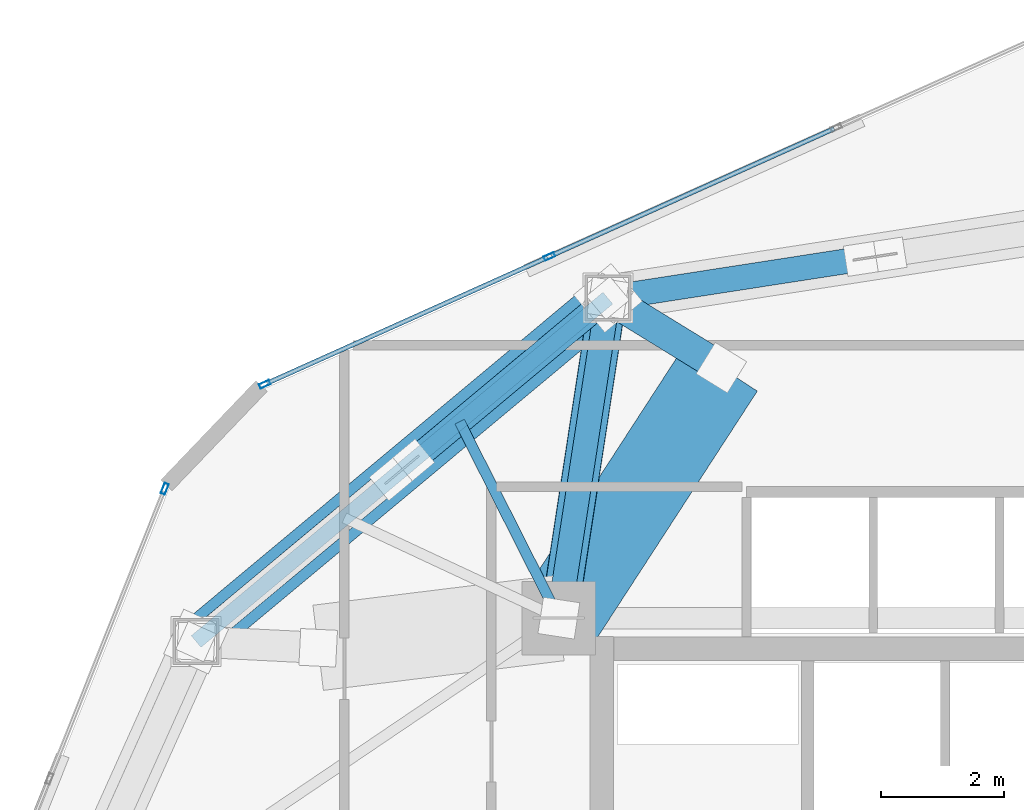
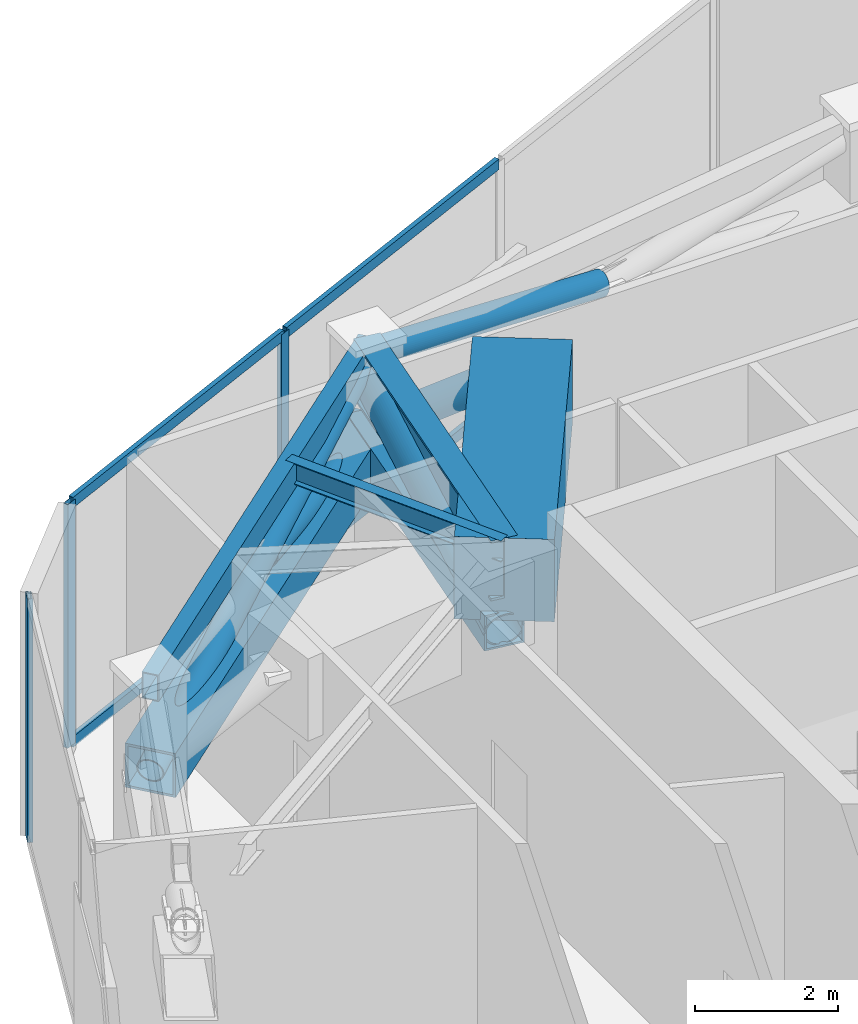
# One storey, part 12 of 21: 14 members, 4 beams, 2 elements without a shape of their own.
"""IFC4 building model written with IfcOpenShell, lengths in metres."""

from ifc_helpers import new_model, si_unit, direction, frame, origin, origin_2d, place, context, subcontext, project, spatial, rectangle, hollow_rectangle, hollow_circle, i_section, extrude, source, transform, mapped, material, layer, layer_set, material_profile, profile_set, type_object, type_shapes, element, aggregate, save


model = new_model("IFC4")

# Units and contexts
model_context = context("Model", 3, precision=1e-05, world=origin(), true_north=direction((0.0, 1.0)))
body_context = subcontext(model_context, "Body", "Model", "MODEL_VIEW")
ifc_project = project(units=[si_unit("LENGTHUNIT", "METRE"), si_unit("AREAUNIT", "SQUARE_METRE"), si_unit("VOLUMEUNIT", "CUBIC_METRE"), si_unit("PLANEANGLEUNIT", "RADIAN"), si_unit("MASSUNIT", "GRAM", prefix="KILO")], contexts=[model_context])

# Site, building, storey
site_placement = place(None, origin())
site = spatial("IfcSite", under=ifc_project, at=site_placement, CompositionType="ELEMENT")
building_placement = place(site_placement, origin())
building = spatial("IfcBuilding", under=site, at=building_placement, Name="Talar Marvaseh", CompositionType="ELEMENT")
storey_placement = place(building_placement, frame((0.0, 0.0, 162.39990234375)))
storey = spatial("IfcBuildingStorey", under=building, at=storey_placement, Name="L42", CompositionType="ELEMENT", Elevation=162.39990234375)

# Beams
ifc_material_1 = material(Name="Steel S460", Category="steel")
ifc_material_profile_1 = material_profile(ifc_material_1, i_section(OverallWidth=0.39990234375, OverallDepth=1.02099609375, WebThickness=0.02294921875, FlangeThickness=0.0390625, at=origin_2d()), Name="W1000x412")
ifc_profile_set_1 = profile_set([ifc_material_profile_1], Name="Steel S460")
beam_type_1 = type_object("IfcBeamType", Name="Heavy Outrigger Tie Girder W1000x412", PredefinedType="BEAM", material=ifc_profile_set_1)
beam_1_placement = place(storey_placement, frame((18.699951171875, 36.89990234375, 3.6396484375), z_axis=(0.151588471466, 0.98844369355, 0.0), x_axis=(-0.98844369355, 0.151588471466, 0.0)))
element("IfcBeam", 1, at=beam_1_placement, inside=storey, type_object=beam_type_1, Name="L42 Heavy Outrigger Tie Girder W1000x412", PredefinedType="BEAM", context=body_context, shape_type="SweptSolid", body=[
    extrude(i_section(OverallWidth=0.39990234375, OverallDepth=1.02099609375, WebThickness=0.02294921875, FlangeThickness=0.0390625, at=origin_2d()), origin(), (0.0, 0.0, 1.0), 5.2841796875),
])
ifc_material_2 = material(Name="Concrete C70/85", Category="concrete")
ifc_material_profile_2 = material_profile(ifc_material_2, rectangle(XDim=1.39990234375, YDim=1.39990234375, at=origin_2d()), Name="RC1400x1400")
ifc_profile_set_2 = profile_set([ifc_material_profile_2], Name="Concrete C70/85")
beam_type_2 = type_object("IfcBeamType", Name="Setback Deep Concrete Transfer Girder RC1400x1400", PredefinedType="BEAM", material=ifc_profile_set_2)
beam_2_placement = place(storey_placement, frame((21.35205078125, 40.986083984375, 3.4501953125), z_axis=(-0.544422757063, -0.838810980849, 0.0), x_axis=(0.838810980849, -0.544422757063, 0.0)))
element("IfcBeam", 2, at=beam_2_placement, inside=storey, type_object=beam_type_2, Name="L42 Setback Backspan Transfer Girder 12", PredefinedType="BEAM", context=body_context, shape_type="SweptSolid", body=[
    extrude(rectangle(XDim=1.39990234375, YDim=1.39990234375, at=origin_2d()), origin(), (0.0, 0.0, 1.0), 4.871337890625),
])
ifc_material_3 = material(Name="Steel S355", Category="steel")
ifc_material_profile_3 = material_profile(ifc_material_3, hollow_rectangle(XDim=0.25, YDim=0.449951171875, WallThickness=0.01611328125, at=origin_2d()), Name="RHS450x250x16")
ifc_profile_set_3 = profile_set([ifc_material_profile_3], Name="Steel S355")
beam_type_3 = type_object("IfcBeamType", Name="Zone 2 Perimeter Spandrel Beam RHS450x250x16", PredefinedType="SPANDREL", material=ifc_profile_set_3)
beam_3_placement = place(storey_placement, frame((12.780029296875, 36.51708984375, 3.925048828125), z_axis=(0.76793081465, 0.640532796905, 0.0), x_axis=(-0.640532796905, 0.76793081465, 0.0)))
element("IfcBeam", 3, at=beam_3_placement, inside=storey, type_object=beam_type_3, Name="L42 Zone 2 Perimeter Spandrel Beam RHS450x250x16", PredefinedType="SPANDREL", context=body_context, shape_type="SweptSolid", body=[
    extrude(hollow_rectangle(XDim=0.25, YDim=0.449951171875, WallThickness=0.01611328125, at=origin_2d()), origin(), (0.0, 0.0, 1.0), 8.751953125),
])
ifc_material_profile_4 = material_profile(ifc_material_3, i_section(OverallWidth=0.172119140625, OverallDepth=0.35791015625, WebThickness=0.0078125, FlangeThickness=0.01318359375, at=origin_2d()), Name="W360x57")
ifc_profile_set_4 = profile_set([ifc_material_profile_4], Name="Steel S355")
beam_type_4 = type_object("IfcBeamType", Name="Zone 2 Secondary Floor Joist W360x57", PredefinedType="JOIST", material=ifc_profile_set_4)
beam_4_placement = place(storey_placement, frame((17.081298828125, 40.104736328125, 3.97119140625), z_axis=(0.450827436945, -0.892611125909, 0.0), x_axis=(0.892611125909, 0.450827436945, 0.0)))
element("IfcBeam", 4, at=beam_4_placement, inside=storey, type_object=beam_type_4, Name="L42 Zone 2 Secondary Floor Joist W360x57", PredefinedType="JOIST", context=body_context, shape_type="SweptSolid", body=[
    extrude(i_section(OverallWidth=0.172119140625, OverallDepth=0.35791015625, WebThickness=0.0078125, FlangeThickness=0.01318359375, at=origin_2d()), origin(), (0.0, 0.0, 1.0), 3.59033203125),
])

# Members
ifc_material_profile_5 = material_profile(ifc_material_1, hollow_rectangle(XDim=0.60009765625, YDim=0.60009765625, WallThickness=0.031982421875, at=origin_2d()), Name="BOX600x600x32")
ifc_profile_set_5 = profile_set([ifc_material_profile_5], Name="Steel S460")
member_type_1 = type_object("IfcMemberType", Name="Outrigger Chord Member BOX600x600x32", PredefinedType="CHORD", material=ifc_profile_set_5)
shared_shape_1 = source(origin(), body_context, "Body", "SweptSolid", [
    extrude(hollow_rectangle(XDim=0.60009765625, YDim=0.60009765625, WallThickness=0.031982421875, at=origin_2d()), origin(), (0.0, 0.0, 1.0), 5.2841796875),
])
type_shapes(member_type_1, [shared_shape_1])
member_1_placement = place(storey_placement, frame((18.699951171875, 36.89990234375, 2.60009765625), z_axis=(0.151588471466, 0.98844369355, 0.0), x_axis=(-0.98844369355, 0.151588471466, 0.0)))
element("IfcMember", 5, at=member_1_placement, inside=storey, type_object=member_type_1, Name="L42 Outrigger Upper Tie Chord 1", PredefinedType="CHORD", context=body_context, shape_type="MappedRepresentation", body=[
    mapped(shared_shape_1, transform((0.0, 0.0, 0.0), x_axis=(1.0, 0.0, 0.0), y_axis=(0.0, 1.0, 0.0), z_axis=(0.0, 0.0, 1.0), scale=1.0)),
])
ifc_material_profile_6 = material_profile(ifc_material_1, hollow_circle(Radius=0.304931640625, WallThickness=0.02490234375, at=origin_2d()), Name="CHS610x25")
ifc_profile_set_6 = profile_set([ifc_material_profile_6], Name="Steel S460")
member_type_2 = type_object("IfcMemberType", Name="Outrigger Diagonal Brace CHS610x25", PredefinedType="BRACE", material=ifc_profile_set_6)
shared_shape_2 = source(origin(), body_context, "Body", "SweptSolid", [
    extrude(hollow_circle(Radius=0.304931640625, WallThickness=0.02490234375, at=origin_2d()), origin(), (0.0, 0.0, 1.0), 5.387451171875),
])
type_shapes(member_type_2, [shared_shape_2])
member_2_placement = place(storey_placement, frame((18.699951171875, 36.89990234375, 2.60009765625), z_axis=(0.148681370159, 0.969487727274, 0.194903557773), x_axis=(-0.98844369355, 0.151588471466, 0.0)))
element("IfcMember", 6, at=member_2_placement, inside=storey, type_object=member_type_2, Name="L42 Outrigger Diagonal Brace 1", PredefinedType="BRACE", context=body_context, shape_type="MappedRepresentation", body=[
    mapped(shared_shape_2, transform((0.0, 0.0, 0.0), x_axis=(1.0, 0.0, 0.0), y_axis=(0.0, 1.0, 0.0), z_axis=(0.0, 0.0, 1.0), scale=1.0)),
])
ifc_material_profile_7 = material_profile(ifc_material_1, hollow_circle(Radius=0.25390625, WallThickness=0.02001953125, at=origin_2d()), Name="CHS508x20")
ifc_profile_set_7 = profile_set([ifc_material_profile_7], Name="Steel S460")
member_type_3 = type_object("IfcMemberType", Name="Crown Frame Diagonal Brace CHS508x20", PredefinedType="BRACE", material=ifc_profile_set_7)
shared_shape_3 = source(origin(), body_context, "Body", "SweptSolid", [
    extrude(hollow_circle(Radius=0.25390625, WallThickness=0.02001953125, at=origin_2d()), origin(), (0.0, 0.0, 1.0), 2.43505859375),
])
type_shapes(member_type_3, [shared_shape_3])
member_3_placement = place(storey_placement, frame((19.5009765625, 42.123046875, 2.550048828125), z_axis=(0.760185120523, -0.466919296528, 0.451779761682), x_axis=(0.523376142021, 0.852101762681, 0.0)))
element("IfcMember", 7, at=member_3_placement, inside=storey, type_object=member_type_3, Name="L42 Setback Transfer Raked Strut 12", PredefinedType="BRACE", context=body_context, shape_type="MappedRepresentation", body=[
    mapped(shared_shape_3, transform((0.0, 0.0, 0.0), x_axis=(1.0, 0.0, 0.0), y_axis=(0.0, 1.0, 0.0), z_axis=(0.0, 0.0, 1.0), scale=1.0)),
])
ifc_material_profile_8 = material_profile(ifc_material_1, hollow_rectangle(XDim=0.75, YDim=0.75, WallThickness=0.0400390625, at=origin_2d()), Name="BOX750x750x40")
ifc_profile_set_8 = profile_set([ifc_material_profile_8], Name="Steel S460")
member_type_4 = type_object("IfcMemberType", Name="Belt Truss Chord Member BOX750x750x40", PredefinedType="CHORD", material=ifc_profile_set_8)
shared_shape_4 = source(origin(), body_context, "Body", "SweptSolid", [
    extrude(hollow_rectangle(XDim=0.75, YDim=0.75, WallThickness=0.0400390625, at=origin_2d()), origin(), (0.0, 0.0, 1.0), 8.751953125),
])
type_shapes(member_type_4, [shared_shape_4])
member_4_placement = place(storey_placement, frame((12.780029296875, 36.51708984375, 2.5), z_axis=(0.76793081465, 0.640532796905, 0.0), x_axis=(-0.640532796905, 0.76793081465, 0.0)))
element("IfcMember", 8, at=member_4_placement, inside=storey, type_object=member_type_4, Name="L42 Belt Truss Bottom Chord 10", PredefinedType="CHORD", context=body_context, shape_type="MappedRepresentation", body=[
    mapped(shared_shape_4, transform((0.0, 0.0, 0.0), x_axis=(1.0, 0.0, 0.0), y_axis=(0.0, 1.0, 0.0), z_axis=(0.0, 0.0, 1.0), scale=1.0)),
])
ifc_material_profile_9 = material_profile(ifc_material_1, hollow_circle(Radius=0.203125, WallThickness=0.01611328125, at=origin_2d()), Name="CHS406x16")
ifc_profile_set_9 = profile_set([ifc_material_profile_9], Name="Steel S460")
member_type_5 = type_object("IfcMemberType", Name="Belt Truss Diagonal Brace CHS406x16", PredefinedType="BRACE", material=ifc_profile_set_9)
shared_shape_5 = source(origin(), body_context, "Body", "SweptSolid", [
    extrude(hollow_circle(Radius=0.203125, WallThickness=0.01611328125, at=origin_2d()), origin(), (0.0, 0.0, 1.0), 8.85546875),
])
member_5_placement = place(storey_placement, frame((12.780029296875, 36.51708984375, 2.5), z_axis=(0.758953675966, 0.633044945604, 0.152457910861), x_axis=(-0.640532796905, 0.76793081465, 0.0)))
element("IfcMember", 9, at=member_5_placement, inside=storey, type_object=member_type_5, Name="L42 Belt Truss Continuous Diagonal 10", PredefinedType="BRACE", context=body_context, shape_type="MappedRepresentation", body=[
    mapped(shared_shape_5, transform((0.0, 0.0, 0.0), x_axis=(1.0, 0.0, 0.0), y_axis=(0.0, 1.0, 0.0), z_axis=(0.0, 0.0, 1.0), scale=1.0)),
])
shared_shape_6 = source(origin(), body_context, "Body", "SweptSolid", [
    extrude(hollow_circle(Radius=0.203125, WallThickness=0.01611328125, at=origin_2d()), origin(), (0.0, 0.0, 1.0), 4.18798828125),
])
member_6_placement = place(storey_placement, frame((19.5009765625, 42.123046875, 2.5), z_axis=(-0.758960277931, -0.633040145791, 0.15244497479), x_axis=(0.640526647063, -0.767935944205, 0.0)))
element("IfcMember", 10, at=member_6_placement, inside=storey, type_object=member_type_5, Name="L42 Belt Truss Split Diagonal Lower 10", PredefinedType="BRACE", context=body_context, shape_type="MappedRepresentation", body=[
    mapped(shared_shape_6, transform((0.0, 0.0, 0.0), x_axis=(1.0, 0.0, 0.0), y_axis=(0.0, 1.0, 0.0), z_axis=(0.0, 0.0, 1.0), scale=1.0)),
])
shared_shape_7 = source(origin(), body_context, "Body", "SweptSolid", [
    extrude(hollow_circle(Radius=0.203125, WallThickness=0.01611328125, at=origin_2d()), origin(), (0.0, 0.0, 1.0), 4.2236328125),
])
type_shapes(member_type_5, [shared_shape_5, shared_shape_6, shared_shape_7])
member_7_placement = place(storey_placement, frame((23.626953125, 42.76123046875, 3.21142578125), z_axis=(-0.976884403081, -0.151099161518, 0.15121476914), x_axis=(0.152856873015, -0.988248337399, 0.0)))
element("IfcMember", 11, at=member_7_placement, inside=storey, type_object=member_type_5, Name="L42 Belt Truss Split Diagonal Upper 11", PredefinedType="BRACE", context=body_context, shape_type="MappedRepresentation", body=[
    mapped(shared_shape_7, transform((0.0, 0.0, 0.0), x_axis=(1.0, 0.0, 0.0), y_axis=(0.0, 1.0, 0.0), z_axis=(0.0, 0.0, 1.0), scale=1.0)),
])

# Curtain wall, members
ifc_material_4 = material(Name="Architectural Aluminium", Category="aluminium")
ifc_layer = layer(ifc_material_4, 0.199951171875)
ifc_layer_set = layer_set([ifc_layer], Name="Architectural Aluminium")
curtain_wall_type = type_object("IfcCurtainWallType", Name="Unitised Acoustic Library Curtain Wall Z2", PredefinedType="NOTDEFINED", material=ifc_layer_set)
curtain_wall_1_placement = place(storey_placement, origin())
curtain_wall_1 = element("IfcCurtainWall", 12, at=curtain_wall_1_placement, inside=storey, type_object=curtain_wall_type, Name="L42 Unitised Acoustic Library Curtain Wall Z2", PredefinedType="NOTDEFINED")
ifc_material_profile_10 = material_profile(ifc_material_4, hollow_rectangle(XDim=0.074951171875, YDim=0.179931640625, WallThickness=0.0048828125, at=origin_2d()), Name="RHS180x75x5")
ifc_profile_set_10 = profile_set([ifc_material_profile_10], Name="Architectural Aluminium")
member_type_6 = type_object("IfcMemberType", Name="Unitised Curtain Wall Transom RHS180x75x5", PredefinedType="USERDEFINED", material=ifc_profile_set_10)
shared_shape_8 = source(origin(), body_context, "Body", "SweptSolid", [
    extrude(hollow_rectangle(XDim=0.074951171875, YDim=0.179931640625, WallThickness=0.0048828125, at=origin_2d()), origin(), (0.0, 0.0, 1.0), 5.017578125),
])
member_8_placement = place(storey_placement, frame((13.93505859375, 40.73095703125, 0.03759765625), z_axis=(0.912249867783, 0.409634201123, 0.0), x_axis=(-0.409634201123, 0.912249867783, 0.0)))
member_8 = element("IfcMember", 13, at=member_8_placement, type_object=member_type_6, Name="CW-Z2 transom 1.1", ObjectType="TRANSOM", PredefinedType="USERDEFINED", context=body_context, shape_type="MappedRepresentation", body=[
    mapped(shared_shape_8, transform((0.0, 0.0, 0.0), x_axis=(1.0, 0.0, 0.0), y_axis=(0.0, 1.0, 0.0), z_axis=(0.0, 0.0, 1.0), scale=1.0)),
])
member_9_placement = place(storey_placement, frame((13.93505859375, 40.73095703125, 4.112548828125), z_axis=(0.912249867783, 0.409634201123, 0.0), x_axis=(-0.409634201123, 0.912249867783, 0.0)))
member_9 = element("IfcMember", 14, at=member_9_placement, type_object=member_type_6, Name="CW-Z2 transom 1.2", ObjectType="TRANSOM", PredefinedType="USERDEFINED", context=body_context, shape_type="MappedRepresentation", body=[
    mapped(shared_shape_8, transform((0.0, 0.0, 0.0), x_axis=(1.0, 0.0, 0.0), y_axis=(0.0, 1.0, 0.0), z_axis=(0.0, 0.0, 1.0), scale=1.0)),
])
shared_shape_9 = source(origin(), body_context, "Body", "SweptSolid", [
    extrude(hollow_rectangle(XDim=0.074951171875, YDim=0.179931640625, WallThickness=0.0048828125, at=origin_2d()), origin(), (0.0, 0.0, 1.0), 5.054931640625),
])
type_shapes(member_type_6, [shared_shape_8, shared_shape_9])
member_10_placement = place(storey_placement, frame((18.580810546875, 42.817138671875, 0.03759765625), z_axis=(0.912257379099, 0.409617473112, 0.0), x_axis=(-0.409617473112, 0.912257379099, 0.0)))
member_10 = element("IfcMember", 15, at=member_10_placement, type_object=member_type_6, Name="CW-Z2 transom 2.1", ObjectType="TRANSOM", PredefinedType="USERDEFINED", context=body_context, shape_type="MappedRepresentation", body=[
    mapped(shared_shape_9, transform((0.0, 0.0, 0.0), x_axis=(1.0, 0.0, 0.0), y_axis=(0.0, 1.0, 0.0), z_axis=(0.0, 0.0, 1.0), scale=1.0)),
])
member_11_placement = place(storey_placement, frame((18.580810546875, 42.817138671875, 4.112548828125), z_axis=(0.912257379099, 0.409617473112, 0.0), x_axis=(-0.409617473112, 0.912257379099, 0.0)))
member_11 = element("IfcMember", 16, at=member_11_placement, type_object=member_type_6, Name="CW-Z2 transom 2.2", ObjectType="TRANSOM", PredefinedType="USERDEFINED", context=body_context, shape_type="MappedRepresentation", body=[
    mapped(shared_shape_9, transform((0.0, 0.0, 0.0), x_axis=(1.0, 0.0, 0.0), y_axis=(0.0, 1.0, 0.0), z_axis=(0.0, 0.0, 1.0), scale=1.0)),
])

# Curtain wall, member
curtain_wall_2_placement = place(storey_placement, origin())
curtain_wall_2 = element("IfcCurtainWall", 17, at=curtain_wall_2_placement, inside=storey, type_object=curtain_wall_type, Name="L42 Unitised Acoustic Library Curtain Wall Z2", PredefinedType="NOTDEFINED")
ifc_material_profile_11 = material_profile(ifc_material_4, hollow_rectangle(XDim=0.074951171875, YDim=0.179931640625, WallThickness=0.0048828125, at=origin_2d()), Name="RHS180x75x5")
ifc_profile_set_11 = profile_set([ifc_material_profile_11], Name="Architectural Aluminium")
member_type_7 = type_object("IfcMemberType", Name="Unitised Curtain Wall Standard Mullion RHS180x75x5", PredefinedType="MULLION", material=ifc_profile_set_11)
shared_shape_10 = source(origin(), body_context, "Body", "SweptSolid", [
    extrude(hollow_rectangle(XDim=0.074951171875, YDim=0.179931640625, WallThickness=0.0048828125, at=origin_2d()), origin(), (0.0, 0.0, 1.0), 4.150146484375),
])
type_shapes(member_type_7, [shared_shape_10])
member_12_placement = place(storey_placement, frame((12.26904296875, 39.01123046875, 0.0), z_axis=(0.0, 0.0, 1.0), x_axis=(-0.929247234688, 0.369458491342, 0.0)))
member_12 = element("IfcMember", 18, at=member_12_placement, type_object=member_type_7, Name="CW-Z2 mullion 4", PredefinedType="MULLION", context=body_context, shape_type="MappedRepresentation", body=[
    mapped(shared_shape_10, transform((0.0, 0.0, 0.0), x_axis=(1.0, 0.0, 0.0), y_axis=(0.0, 1.0, 0.0), z_axis=(0.0, 0.0, 1.0), scale=1.0)),
])
aggregate(curtain_wall_2, [member_12])

# Member
member_13_placement = place(storey_placement, frame((13.90087890625, 40.715576171875, 0.0), z_axis=(0.0, 0.0, 1.0), x_axis=(-0.409639401688, 0.912247532518, 0.0)))
member_13 = element("IfcMember", 19, at=member_13_placement, type_object=member_type_7, Name="CW-Z2 mullion 1", PredefinedType="MULLION", context=body_context, shape_type="MappedRepresentation", body=[
    mapped(shared_shape_10, transform((0.0, 0.0, 0.0), x_axis=(1.0, 0.0, 0.0), y_axis=(0.0, 1.0, 0.0), z_axis=(0.0, 0.0, 1.0), scale=1.0)),
])

member_14_placement = place(storey_placement, frame((18.546630859375, 42.8017578125, 0.0), z_axis=(0.0, 0.0, 1.0), x_axis=(-0.409639401688, 0.912247532518, 0.0)))
member_14 = element("IfcMember", 20, at=member_14_placement, type_object=member_type_7, Name="CW-Z2 mullion 2", PredefinedType="MULLION", context=body_context, shape_type="MappedRepresentation", body=[
    mapped(shared_shape_10, transform((0.0, 0.0, 0.0), x_axis=(1.0, 0.0, 0.0), y_axis=(0.0, 1.0, 0.0), z_axis=(0.0, 0.0, 1.0), scale=1.0)),
])

aggregate(curtain_wall_1, [member_13, member_14, member_8, member_9, member_10, member_11])

save(model, "model.ifc")
